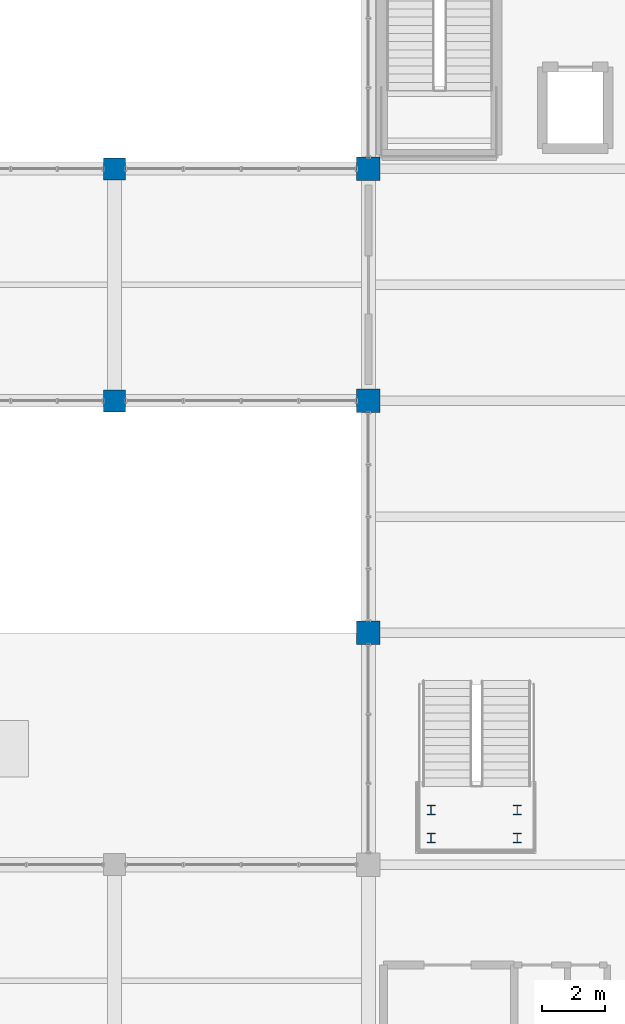
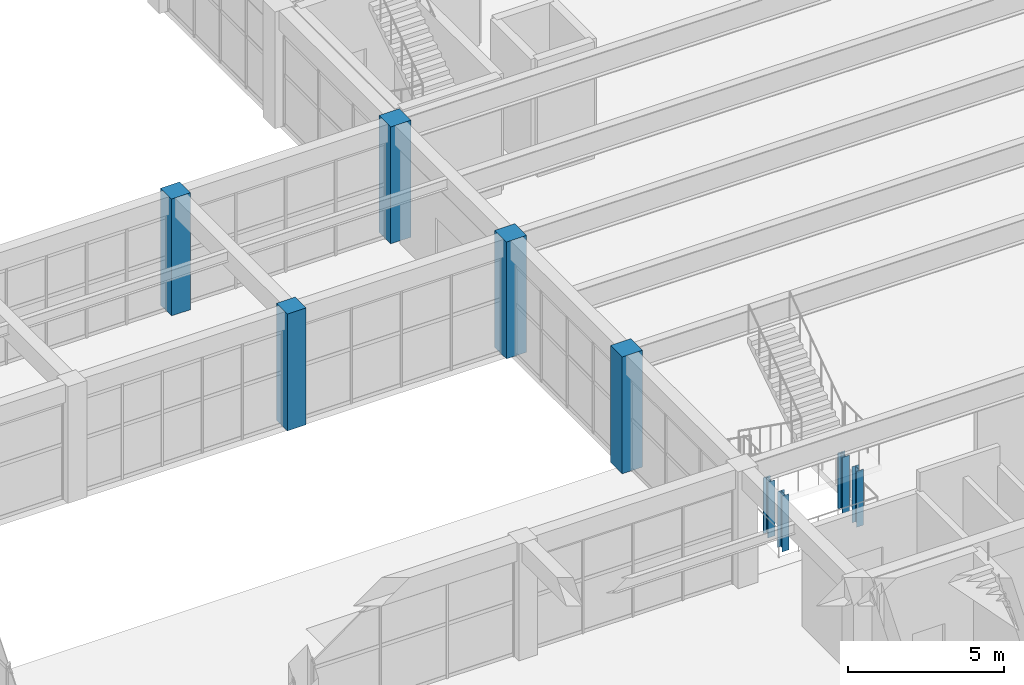
# One storey, part 2 of 161: 9 columns.
"""IFC4 building model written with IfcOpenShell, lengths in metres."""

import ifcopenshell
import ifcopenshell.guid

model = None  # the IFC model being written
_history = None  # IfcOwnerHistory: only IFC2X3 demands one
_inside = {}  # id of a spatial element -> (the spatial element, [elements in it])
_under = {}  # id of a project, library or spatial element -> (it, [spatial elements below it])
_declared = {}  # id of a project -> (the project, [libraries it declares])
_typed = {}  # id of a type object -> (the type object, [elements of that type])
_made_of = {}  # id of a material, layer set ... -> (it, [elements and type objects made of it])


def new_model(schema):
    """Start an empty IFC model of exactly this schema.

    Asked for "IFC4X3", IfcOpenShell would pick the latest addendum, in which some entities
    have other attributes; the version numbers below select the first issue.
    IFC2X3 requires an IfcOwnerHistory on every rooted entity: one is made here for all.
    """
    global model, _history
    if schema == "IFC4X3":
        model = ifcopenshell.file(schema_version=(4, 3, 0, 0))
    else:
        model = ifcopenshell.file(schema=schema)
    _inside.clear()
    _under.clear()
    _declared.clear()
    _typed.clear()
    _made_of.clear()
    _history = None
    if model.schema == "IFC2X3":
        org = make("IfcOrganization", Name="unknown")
        user = make(
            "IfcPersonAndOrganization",
            ThePerson=make("IfcPerson", FamilyName="unknown"),
            TheOrganization=org,
        )
        app = make(
            "IfcApplication",
            ApplicationDeveloper=org,
            Version="unknown",
            ApplicationFullName="unknown",
            ApplicationIdentifier="unknown",
        )
        _history = make(
            "IfcOwnerHistory",
            OwningUser=user,
            OwningApplication=app,
            ChangeAction="ADDED",
            CreationDate=0,
        )
    return model


def make(cls, **values):
    """One entity of the class cls with the attributes given. An attribute that is None is left unset."""
    return model.create_entity(
        cls, **{name: value for name, value in values.items() if value is not None}
    )


def rooted(cls, **values):
    """An entity with a GlobalId (a new one), such as an element, a storey or a relation."""
    return make(cls, GlobalId=ifcopenshell.guid.new(), OwnerHistory=_history, **values)


def si_unit(unit_type, name, prefix=None):
    """IfcSIUnit, for example si_unit("LENGTHUNIT", "METRE", prefix="MILLI")."""
    return make("IfcSIUnit", UnitType=unit_type, Prefix=prefix, Name=name)


def assignment(units):
    """IfcUnitAssignment: the units of a project."""
    return None if units is None else make("IfcUnitAssignment", Units=units)


def point(xyz):
    """IfcCartesianPoint."""
    return None if xyz is None else make("IfcCartesianPoint", Coordinates=xyz)


def direction(xyz):
    """IfcDirection."""
    return None if xyz is None else make("IfcDirection", DirectionRatios=xyz)


def frame(location, z_axis=None, x_axis=None):
    """IfcAxis2Placement3D, a coordinate frame: its origin and axes. An axis left out is left unset."""
    return make(
        "IfcAxis2Placement3D",
        Location=point(location),
        Axis=direction(z_axis),
        RefDirection=direction(x_axis),
    )


def frame_2d(location, x_axis=None):
    """IfcAxis2Placement2D, a coordinate frame in the plane: its origin and x axis."""
    return make(
        "IfcAxis2Placement2D", Location=point(location), RefDirection=direction(x_axis)
    )


def origin():
    """The frame at (0, 0, 0) with its axes left unset."""
    return frame((0.0, 0.0, 0.0))


def origin_2d():
    """The frame at (0, 0) in the plane with its x axis left unset."""
    return frame_2d((0.0, 0.0))


def place(relative_to, where):
    """IfcLocalPlacement: puts the frame where relative to a parent placement (None: the world)."""
    return make(
        "IfcLocalPlacement", PlacementRelTo=relative_to, RelativePlacement=where
    )


def context(
    kind, dimensions, precision=None, world=None, true_north=None, identifier=None
):
    """IfcGeometricRepresentationContext, for example the 3D "Model" context."""
    return make(
        "IfcGeometricRepresentationContext",
        ContextIdentifier=identifier,
        ContextType=kind,
        CoordinateSpaceDimension=dimensions,
        Precision=precision,
        WorldCoordinateSystem=world,
        TrueNorth=true_north,
    )


def subcontext(parent, identifier, kind, view, scale=None):
    """IfcGeometricRepresentationSubContext, for example "Body" below "Model"."""
    return make(
        "IfcGeometricRepresentationSubContext",
        ContextIdentifier=identifier,
        ContextType=kind,
        ParentContext=parent,
        TargetScale=scale,
        TargetView=view,
    )


def project(units=None, contexts=None):
    """IfcProject with its units and contexts."""
    return rooted(
        "IfcProject",
        Name="project",
        RepresentationContexts=contexts,
        UnitsInContext=assignment(units),
    )


def spatial(cls, under=None, at=None, **own):
    """A site, building, storey or space (cls), placed at a placement, below another one or the project."""
    s = rooted(cls, ObjectPlacement=at, **own)
    if under is not None:
        _under.setdefault(under.id(), (under, []))[1].append(s)
    return s


def profile(cls, at=None, kind="AREA", **sizes):
    """A parametric profile (cls). Its sizes go by their IFC names, for example OverallWidth=200.0."""
    return make(cls, ProfileType=kind, Position=at, **sizes)


def rectangle(**sizes):
    """IfcRectangleProfileDef."""
    return profile("IfcRectangleProfileDef", **sizes)


def i_section(**sizes):
    """IfcIShapeProfileDef."""
    return profile("IfcIShapeProfileDef", **sizes)


def extrude(swept, where, along, depth):
    """IfcExtrudedAreaSolid: the profile swept, set in the frame where, extruded along a direction by depth."""
    return make(
        "IfcExtrudedAreaSolid",
        SweptArea=swept,
        Position=where,
        ExtrudedDirection=direction(along),
        Depth=depth,
    )


def shape(context_of_items, identifier, shape_type, items):
    """IfcShapeRepresentation: the items that make up one representation, for example the "Body"."""
    return make(
        "IfcShapeRepresentation",
        ContextOfItems=context_of_items,
        RepresentationIdentifier=identifier,
        RepresentationType=shape_type,
        Items=items,
    )


def material(Name=None, Category=None):
    """IfcMaterial."""
    return make("IfcMaterial", Name=Name, Category=Category)


def material_profile(
    of_material, cross_section, Name=None, Category=None, Priority=None
):
    """IfcMaterialProfile: a cross section and its material."""
    return make(
        "IfcMaterialProfile",
        Name=Name,
        Material=of_material,
        Profile=cross_section,
        Priority=Priority,
        Category=Category,
    )


def profile_set(profiles, Name=None, composite=None):
    """IfcMaterialProfileSet."""
    return make(
        "IfcMaterialProfileSet",
        Name=Name,
        MaterialProfiles=profiles,
        CompositeProfile=composite,
    )


def made_of(thing, what):
    """Note that an element or type object is made of a material, layer set ...; save() writes the relation."""
    if what is not None:
        _made_of.setdefault(what.id(), (what, []))[1].append(thing)
    return thing


def type_object(cls, material=None, **own):
    """A type object (cls), such as IfcWallType, which elements share."""
    return made_of(rooted(cls, **own), material)


def element(
    cls,
    number,
    at=None,
    inside=None,
    cuts=None,
    type_object=None,
    material=None,
    context=None,
    identifier="Body",
    shape_type=None,
    held_by="IfcProductDefinitionShape",
    body=None,
    shapes=None,
    **own,
):
    """One element of the class cls, such as IfcWall. Its Tag is "e" and its number.

    at: its placement. inside: the storey or other place that contains it. cuts: it is an
    opening in that element (IfcRelVoidsElement). A single representation is given by context,
    identifier, shape_type and body (its items); several are given by shapes. held_by: the class
    of the entity that holds the representations. save() writes the other relations.
    """
    e = rooted(cls, Tag="e%d" % number, ObjectPlacement=at, **own)
    if body is not None:
        shapes = [shape(context, identifier, shape_type, body)]
    if shapes is not None:
        e.Representation = make(held_by, Representations=shapes)
    if inside is not None:
        _inside.setdefault(inside.id(), (inside, []))[1].append(e)
    if cuts is not None:
        rooted(
            "IfcRelVoidsElement", RelatingBuildingElement=cuts, RelatedOpeningElement=e
        )
    if type_object is not None:
        _typed.setdefault(type_object.id(), (type_object, []))[1].append(e)
    return made_of(e, material)


def aggregate(whole, parts):
    """IfcRelAggregates: a whole, such as a stair, and the parts it consists of."""
    return rooted("IfcRelAggregates", RelatingObject=whole, RelatedObjects=parts)


def save(model, path):
    """Write the relations noted so far, then the file.

    IfcRelAggregates (storeys below a building ...), IfcRelContainedInSpatialStructure (elements
    in a storey), IfcRelDefinesByType, IfcRelAssociatesMaterial and IfcRelDeclares: one each for
    every whole, place, type object, material and project.
    """
    for whole, parts in _under.values():
        aggregate(whole, parts)
    for where, things in _inside.values():
        rooted(
            "IfcRelContainedInSpatialStructure",
            RelatedElements=things,
            RelatingStructure=where,
        )
    for kind, things in _typed.values():
        rooted("IfcRelDefinesByType", RelatedObjects=things, RelatingType=kind)
    for what, things in _made_of.values():
        rooted("IfcRelAssociatesMaterial", RelatedObjects=things, RelatingMaterial=what)
    for by, libraries in _declared.values():
        rooted("IfcRelDeclares", RelatingContext=by, RelatedDefinitions=libraries)
    model.write(path)


model = new_model("IFC4")

# Units and contexts
model_context = context("Model", 3, precision=1e-05, world=origin(), true_north=direction((0.0, 1.0)))
body_context = subcontext(model_context, "Body", "Model", "MODEL_VIEW")
ifc_project = project(units=[si_unit("LENGTHUNIT", "METRE"), si_unit("AREAUNIT", "SQUARE_METRE"), si_unit("VOLUMEUNIT", "CUBIC_METRE"), si_unit("PLANEANGLEUNIT", "RADIAN"), si_unit("MASSUNIT", "GRAM", prefix="KILO")], contexts=[model_context])

# Site, building, storey
site_placement = place(None, origin())
site = spatial("IfcSite", under=ifc_project, at=site_placement, CompositionType="ELEMENT")
building_placement = place(site_placement, origin())
building = spatial("IfcBuilding", under=site, at=building_placement, Name="Cimatlan Art Gallery", CompositionType="ELEMENT")
storey_placement = place(building_placement, frame((0.0, 0.0, 5.39990234375)))
storey = spatial("IfcBuildingStorey", under=building, at=storey_placement, Name="L01", CompositionType="ELEMENT", Elevation=5.39990234375)

# Columns
ifc_material_1 = material(Name="Concrete C45/55", Category="concrete")
ifc_material_profile_1 = material_profile(ifc_material_1, rectangle(XDim=0.699951171875, YDim=0.699951171875, at=origin_2d()), Name="RC700X700")
ifc_profile_set_1 = profile_set([ifc_material_profile_1], Name="Concrete C45/55")
column_type_1 = type_object("IfcColumnType", Name="COL-RC-700", PredefinedType="COLUMN", material=ifc_profile_set_1)
for number, where, z_axis, x_axis, name in (
    (1, (66.800048828125, 53.5, 0.0), (0.0, 0.0, 1.0), (1.0, 0.0, 0.0), "COL-L01-08-07"),
    (2, (66.800048828125, 60.89990234375, 0.0), (0.0, 0.0, 1.0), (1.0, 0.0, 0.0), "COL-L01-08-08"),
):
    element("IfcColumn", number, at=place(storey_placement, frame(where, z_axis=z_axis, x_axis=x_axis)), inside=storey, type_object=column_type_1, Name=name, PredefinedType="COLUMN", context=body_context, shape_type="SweptSolid", body=[
        extrude(rectangle(XDim=0.699951171875, YDim=0.699951171875, at=origin_2d()), origin(), (0.0, 0.0, 1.0), 4.56005859375),
    ])
ifc_material_profile_2 = material_profile(ifc_material_1, rectangle(XDim=0.75, YDim=0.75, at=origin_2d()), Name="RC750X750")
ifc_profile_set_2 = profile_set([ifc_material_profile_2], Name="Concrete C45/55")
column_type_2 = type_object("IfcColumnType", Name="COL-RC-750", PredefinedType="COLUMN", material=ifc_profile_set_2)
for number, where, z_axis, x_axis, name in (
    (3, (74.89990234375, 46.10009765625, 0.0), (0.0, 0.0, 1.0), (1.0, 0.0, 0.0), "COL-L01-09-06"),
    (4, (74.89990234375, 53.5, 0.0), (0.0, 0.0, 1.0), (1.0, 0.0, 0.0), "COL-L01-09-07"),
    (5, (74.89990234375, 60.89990234375, 0.0), (0.0, 0.0, 1.0), (1.0, 0.0, 0.0), "COL-L01-09-08"),
):
    element("IfcColumn", number, at=place(storey_placement, frame(where, z_axis=z_axis, x_axis=x_axis)), inside=storey, type_object=column_type_2, Name=name, PredefinedType="COLUMN", context=body_context, shape_type="SweptSolid", body=[
        extrude(rectangle(XDim=0.75, YDim=0.75, at=origin_2d()), origin(), (0.0, 0.0, 1.0), 4.56005859375),
    ])
ifc_material_2 = material(Name="Steel ASTM A992 Grade 50", Category="steel")
ifc_material_profile_3 = material_profile(ifc_material_2, i_section(OverallWidth=0.25390625, OverallDepth=0.305908203125, WebThickness=0.0087890625, FlangeThickness=0.0146484375, at=origin_2d()), Name="W12X53")
ifc_profile_set_3 = profile_set([ifc_material_profile_3], Name="Steel ASTM A992 Grade 50")
column_type_3 = type_object("IfcColumnType", Name="COL-STL-W12X53", PredefinedType="COLUMN", material=ifc_profile_set_3)
for number, where, z_axis, x_axis, name in (
    (6, (76.89990234375, 39.550048828125, 0.0), (0.0, 0.0, 1.0), (1.0, 0.0, 0.0), "COL-FS95-L01-1"),
    (7, (79.64990234375, 39.550048828125, 0.0), (0.0, 0.0, 1.0), (1.0, 0.0, 0.0), "COL-FS95-L01-2"),
    (8, (76.89990234375, 40.449951171875, 0.0), (0.0, 0.0, 1.0), (1.0, 0.0, 0.0), "COL-FS95-L01-3"),
    (9, (79.64990234375, 40.449951171875, 0.0), (0.0, 0.0, 1.0), (1.0, 0.0, 0.0), "COL-FS95-L01-4"),
):
    element("IfcColumn", number, at=place(storey_placement, frame(where, z_axis=z_axis, x_axis=x_axis)), inside=storey, type_object=column_type_3, Name=name, PredefinedType="COLUMN", context=body_context, shape_type="SweptSolid", body=[
        extrude(i_section(OverallWidth=0.25390625, OverallDepth=0.305908203125, WebThickness=0.0087890625, FlangeThickness=0.0146484375, at=origin_2d()), origin(), (0.0, 0.0, 1.0), 2.18017578125),
    ])

save(model, "model.ifc")
